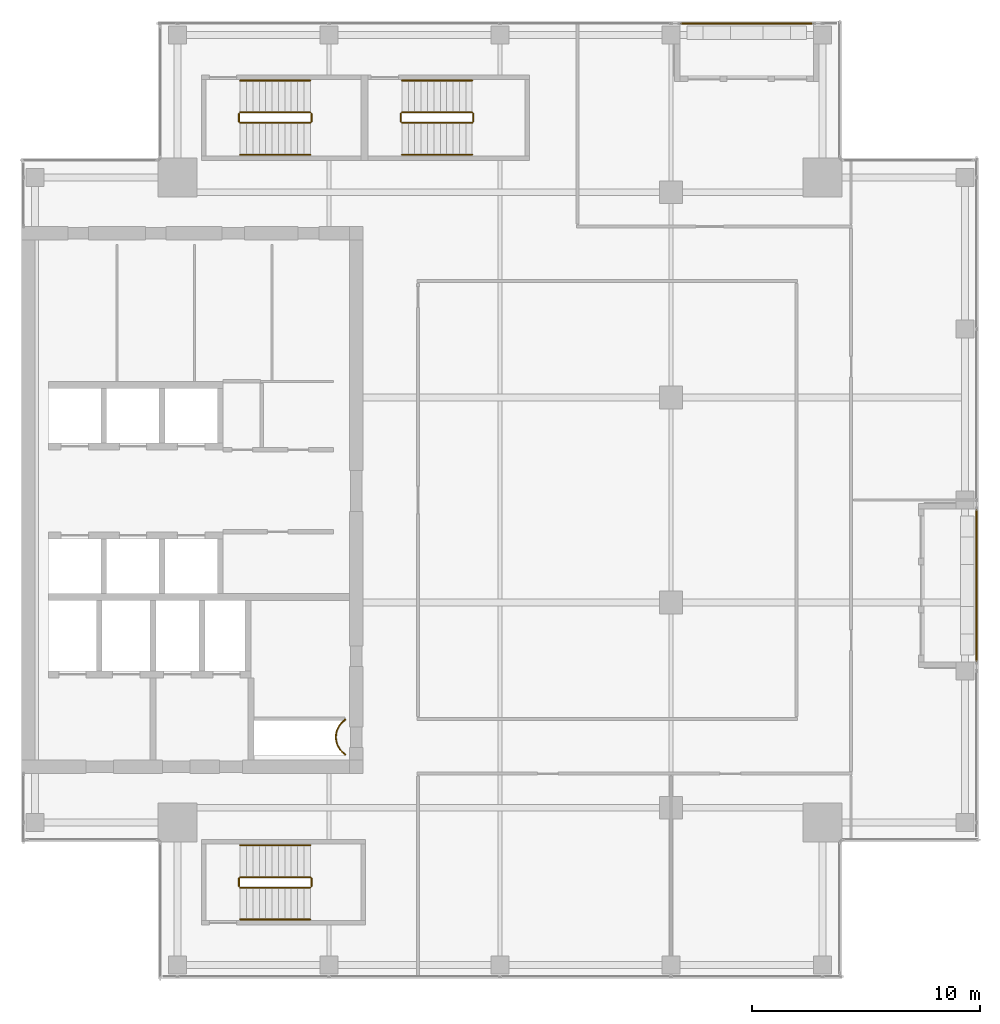
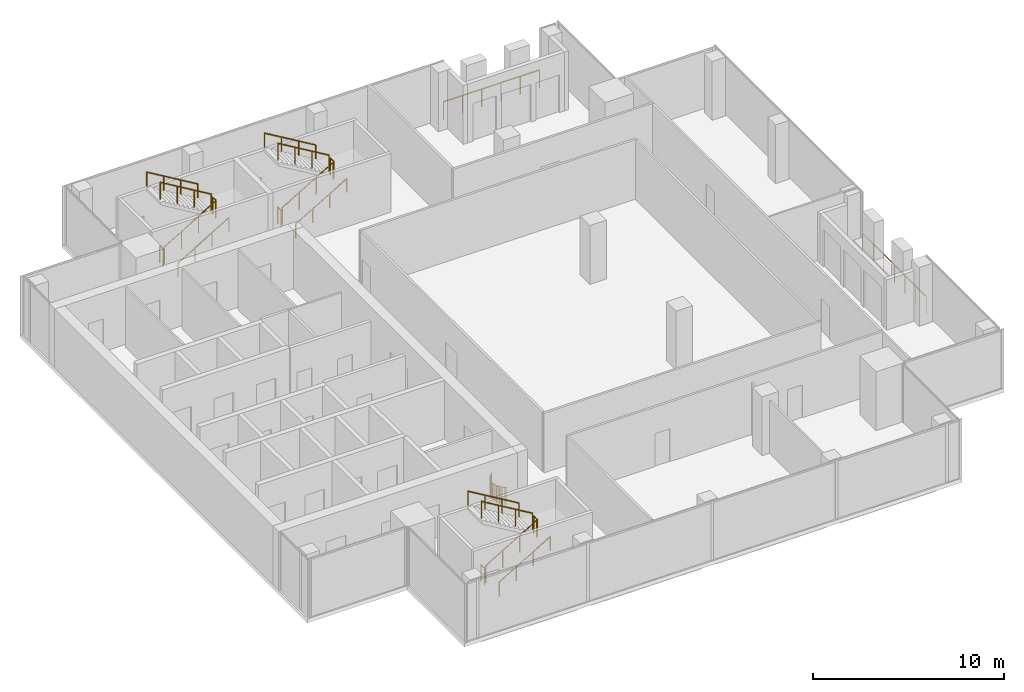
# One storey, part 28 of 29: 21 railings.
"""IFC4 building model written with IfcOpenShell, lengths in metres."""

from ifc_helpers import new_model, si_unit, direction, frame, origin, origin_2d, place, context, subcontext, project, spatial, circle, extrude, source, transform, mapped, material, type_object, element, save


model = new_model("IFC4")

# Units and contexts
model_context = context("Model", 3, precision=1e-05, world=origin(), true_north=direction((0.0, 1.0)))
body_context = subcontext(model_context, "Body", "Model", "MODEL_VIEW")
ifc_project = project(units=[si_unit("LENGTHUNIT", "METRE"), si_unit("AREAUNIT", "SQUARE_METRE"), si_unit("VOLUMEUNIT", "CUBIC_METRE"), si_unit("PLANEANGLEUNIT", "RADIAN"), si_unit("MASSUNIT", "GRAM", prefix="KILO")], contexts=[model_context])

# Site, building, storey
site_placement = place(None, origin())
site = spatial("IfcSite", under=ifc_project, at=site_placement, CompositionType="ELEMENT")
building_placement = place(site_placement, origin())
building = spatial("IfcBuilding", under=site, at=building_placement, Name="Khomas Fold Tower", CompositionType="ELEMENT")
storey_placement = place(building_placement, frame((0.0, 0.0, 326.199951171875)))
storey = spatial("IfcBuildingStorey", under=building, at=storey_placement, Name="L74", CompositionType="ELEMENT", Elevation=326.199951171875)

# Railings
ifc_material_1 = material(Name="Powder-coated steel", Category="steel")
railing_type_1 = type_object("IfcRailingType", Name="Balcony guard", PredefinedType="GUARDRAIL", material=ifc_material_1)
shared_shape_1 = source(origin(), body_context, "Body", "SweptSolid", [
    extrude(circle(Radius=0.02490234375, at=origin_2d()), frame((0.0, 0.0, 1.125), z_axis=(1.0, 0.0, 0.0), x_axis=(0.0, 1.0, 0.0)), (0.0, 0.0, 1.0), 5.7900390625),
    extrude(circle(Radius=0.02001953125, at=origin_2d()), origin(), (0.0, 0.0, 1.0), 1.099853515625),
    extrude(circle(Radius=0.02001953125, at=origin_2d()), frame((1.157958984375, 0.0, 0.0)), (0.0, 0.0, 1.0), 1.099853515625),
    extrude(circle(Radius=0.02001953125, at=origin_2d()), frame((2.31591796875, 0.0, 0.0)), (0.0, 0.0, 1.0), 1.099853515625),
    extrude(circle(Radius=0.02001953125, at=origin_2d()), frame((3.47412109375, 0.0, 0.0)), (0.0, 0.0, 1.0), 1.099853515625),
    extrude(circle(Radius=0.02001953125, at=origin_2d()), frame((4.632080078125, 0.0, 0.0)), (0.0, 0.0, 1.0), 1.099853515625),
    extrude(circle(Radius=0.02001953125, at=origin_2d()), frame((5.7900390625, 0.0, 0.0)), (0.0, 0.0, 1.0), 1.099853515625),
])
railing_1_placement = place(storey_placement, frame((34.929931640625, 47.89990234375, -0.044921875)))
element("IfcRailing", 1, at=railing_1_placement, inside=storey, type_object=railing_type_1, Name="Balcony guard BAL-L74-N4", PredefinedType="GUARDRAIL", context=body_context, shape_type="MappedRepresentation", body=[
    mapped(shared_shape_1, transform((0.0, 0.0, 0.0))),
])
shared_shape_2 = source(origin(), body_context, "Body", "SweptSolid", [
    extrude(circle(Radius=0.02490234375, at=origin_2d()), frame((0.0, 0.0, 1.125), z_axis=(0.0, 1.0, 0.0), x_axis=(-1.0, 0.0, 0.0)), (0.0, 0.0, 1.0), 6.64013671875),
    extrude(circle(Radius=0.02001953125, at=origin_2d()), origin(), (0.0, 0.0, 1.0), 1.099853515625),
    extrude(circle(Radius=0.02001953125, at=origin_2d()), frame((0.0, 1.106689453125, 0.0)), (0.0, 0.0, 1.0), 1.099853515625),
    extrude(circle(Radius=0.02001953125, at=origin_2d()), frame((0.0, 2.21337890625, 0.0)), (0.0, 0.0, 1.0), 1.099853515625),
    extrude(circle(Radius=0.02001953125, at=origin_2d()), frame((0.0, 3.320068359375, 0.0)), (0.0, 0.0, 1.0), 1.099853515625),
    extrude(circle(Radius=0.02001953125, at=origin_2d()), frame((0.0, 4.4267578125, 0.0)), (0.0, 0.0, 1.0), 1.099853515625),
    extrude(circle(Radius=0.02001953125, at=origin_2d()), frame((0.0, 5.533447265625, 0.0)), (0.0, 0.0, 1.0), 1.099853515625),
    extrude(circle(Radius=0.02001953125, at=origin_2d()), frame((0.0, 6.64013671875, 0.0)), (0.0, 0.0, 1.0), 1.099853515625),
])
railing_2_placement = place(storey_placement, frame((47.89990234375, 19.929931640625, -0.044921875)))
element("IfcRailing", 2, at=railing_2_placement, inside=storey, type_object=railing_type_1, Name="Balcony guard BAL-L74-E2", PredefinedType="GUARDRAIL", context=body_context, shape_type="MappedRepresentation", body=[
    mapped(shared_shape_2, transform((0.0, 0.0, 0.0))),
])
ifc_material_2 = material(Name="Steel balustrade", Category="steel")
railing_type_2 = type_object("IfcRailingType", Name="Stair guard", PredefinedType="GUARDRAIL", material=ifc_material_2)
shared_shape_3 = source(origin(), body_context, "Body", "SweptSolid", [
    extrude(circle(Radius=0.02392578125, at=origin_2d()), frame((0.0, 0.0, 1.076171875), z_axis=(0.0, 1.0, 0.0), x_axis=(-1.0, 0.0, 0.0)), (0.0, 0.0, 1.0), 0.349853515625),
    extrude(circle(Radius=0.02099609375, at=origin_2d()), origin(), (0.0, 0.0, 1.0), 1.052001953125),
    extrude(circle(Radius=0.02099609375, at=origin_2d()), frame((0.0, 0.349853515625, 0.0)), (0.0, 0.0, 1.0), 1.052001953125),
])
for number, where, name in (
    (3, (18.72998046875, 43.60009765625, 2.0), "L74 ST1 stair guard 2"),
    (4, (15.550048828125, 43.60009765625, 0.0), "L74 ST1 stair guard 4"),
    (5, (18.72998046875, 10.050048828125, 2.0), "L74 ST2 stair guard 2"),
    (6, (15.550048828125, 10.050048828125, 0.0), "L74 ST2 stair guard 4"),
    (7, (25.830078125, 43.60009765625, 2.0), "L74 ST3 stair guard 2"),
    (8, (22.64990234375, 43.60009765625, 0.0), "L74 ST3 stair guard 4"),
):
    element("IfcRailing", number, at=place(storey_placement, frame(where)), inside=storey, type_object=railing_type_2, Name=name, PredefinedType="GUARDRAIL", context=body_context, shape_type="MappedRepresentation", body=[
        mapped(shared_shape_3, transform((0.0, 0.0, 0.0))),
    ])
shared_shape_4 = source(origin(), body_context, "Body", "SweptSolid", [
    extrude(circle(Radius=0.02392578125, at=origin_2d()), frame((0.0, 0.0, 1.076171875), z_axis=(0.859290745958, 0.0, 0.51148745235), x_axis=(0.0, 1.0, 0.0)), (0.0, 0.0, 1.0), 3.584228515625),
    extrude(circle(Radius=0.02099609375, at=origin_2d()), origin(), (0.0, 0.0, 1.0), 1.052001953125),
    extrude(circle(Radius=0.02099609375, at=origin_2d()), frame((1.026611328125, 0.0, 0.611083984375)), (0.0, 0.0, 1.0), 1.052001953125),
    extrude(circle(Radius=0.02099609375, at=origin_2d()), frame((2.05322265625, 0.0, 1.22216796875)), (0.0, 0.0, 1.0), 1.052001953125),
    extrude(circle(Radius=0.02099609375, at=origin_2d()), frame((3.079833984375, 0.0, 1.833251953125)), (0.0, 0.0, 1.0), 1.052001953125),
])
for number, where, name in (
    (9, (15.60009765625, 43.550048828125, 0.166748046875), "L74 ST1 stair guard 1"),
    (10, (15.60009765625, 10.0, 0.166748046875), "L74 ST2 stair guard 1"),
):
    element("IfcRailing", number, at=place(storey_placement, frame(where)), inside=storey, type_object=railing_type_2, Name=name, PredefinedType="GUARDRAIL", context=body_context, shape_type="MappedRepresentation", body=[
        mapped(shared_shape_4, transform((0.0, 0.0, 0.0))),
    ])
shared_shape_5 = source(origin(), body_context, "Body", "SweptSolid", [
    extrude(circle(Radius=0.02392578125, at=origin_2d()), frame((0.0, 0.0, 1.076171875), z_axis=(-0.859290745958, 0.0, 0.51148745235), x_axis=(0.0, -1.0, 0.0)), (0.0, 0.0, 1.0), 3.584228515625),
    extrude(circle(Radius=0.02099609375, at=origin_2d()), origin(), (0.0, 0.0, 1.0), 1.052001953125),
    extrude(circle(Radius=0.02099609375, at=origin_2d()), frame((-1.026611328125, 0.0, 0.611083984375)), (0.0, 0.0, 1.0), 1.052001953125),
    extrude(circle(Radius=0.02099609375, at=origin_2d()), frame((-2.05322265625, 0.0, 1.22216796875)), (0.0, 0.0, 1.0), 1.052001953125),
    extrude(circle(Radius=0.02099609375, at=origin_2d()), frame((-3.079833984375, 0.0, 1.833251953125)), (0.0, 0.0, 1.0), 1.052001953125),
])
for number, where, name in (
    (11, (18.679931640625, 44.0, 2.166748046875), "L74 ST1 stair guard 3"),
    (12, (18.679931640625, 10.449951171875, 2.166748046875), "L74 ST2 stair guard 3"),
):
    element("IfcRailing", number, at=place(storey_placement, frame(where)), inside=storey, type_object=railing_type_2, Name=name, PredefinedType="GUARDRAIL", context=body_context, shape_type="MappedRepresentation", body=[
        mapped(shared_shape_5, transform((0.0, 0.0, 0.0))),
    ])
ifc_material_3 = material(Name="Steel handrail", Category="steel")
railing_type_3 = type_object("IfcRailingType", Name="Stair handrail", PredefinedType="HANDRAIL", material=ifc_material_3)
shared_shape_6 = source(origin(), body_context, "Body", "SweptSolid", [
    extrude(circle(Radius=0.02392578125, at=origin_2d()), frame((0.0, 0.0, 0.8759765625), z_axis=(0.859290745958, 0.0, 0.51148745235), x_axis=(0.0, 1.0, 0.0)), (0.0, 0.0, 1.0), 3.584228515625),
    extrude(circle(Radius=0.02099609375, at=origin_2d()), origin(), (0.0, 0.0, 1.0), 0.851806640625),
    extrude(circle(Radius=0.02099609375, at=origin_2d()), frame((1.026611328125, 0.0, 0.611083984375)), (0.0, 0.0, 1.0), 0.851806640625),
    extrude(circle(Radius=0.02099609375, at=origin_2d()), frame((2.05322265625, 0.0, 1.22216796875)), (0.0, 0.0, 1.0), 0.851806640625),
    extrude(circle(Radius=0.02099609375, at=origin_2d()), frame((3.079833984375, 0.0, 1.833251953125)), (0.0, 0.0, 1.0), 0.851806640625),
])
for number, where, name in (
    (13, (15.60009765625, 42.14990234375, 0.166748046875), "L74 ST1 stair handrail 1"),
    (14, (15.60009765625, 8.60009765625, 0.166748046875), "L74 ST2 stair handrail 1"),
):
    element("IfcRailing", number, at=place(storey_placement, frame(where)), inside=storey, type_object=railing_type_3, Name=name, PredefinedType="HANDRAIL", context=body_context, shape_type="MappedRepresentation", body=[
        mapped(shared_shape_6, transform((0.0, 0.0, 0.0))),
    ])
shared_shape_7 = source(origin(), body_context, "Body", "SweptSolid", [
    extrude(circle(Radius=0.02392578125, at=origin_2d()), frame((0.0, 0.0, 0.8759765625), z_axis=(-0.859290745958, 0.0, 0.51148745235), x_axis=(0.0, -1.0, 0.0)), (0.0, 0.0, 1.0), 3.584228515625),
    extrude(circle(Radius=0.02099609375, at=origin_2d()), origin(), (0.0, 0.0, 1.0), 0.851806640625),
    extrude(circle(Radius=0.02099609375, at=origin_2d()), frame((-1.026611328125, 0.0, 0.611083984375)), (0.0, 0.0, 1.0), 0.851806640625),
    extrude(circle(Radius=0.02099609375, at=origin_2d()), frame((-2.05322265625, 0.0, 1.22216796875)), (0.0, 0.0, 1.0), 0.851806640625),
    extrude(circle(Radius=0.02099609375, at=origin_2d()), frame((-3.079833984375, 0.0, 1.833251953125)), (0.0, 0.0, 1.0), 0.851806640625),
])
for number, where, name in (
    (15, (18.679931640625, 45.39990234375, 2.166748046875), "L74 ST1 stair handrail 2"),
    (16, (18.679931640625, 11.85009765625, 2.166748046875), "L74 ST2 stair handrail 2"),
):
    element("IfcRailing", number, at=place(storey_placement, frame(where)), inside=storey, type_object=railing_type_3, Name=name, PredefinedType="HANDRAIL", context=body_context, shape_type="MappedRepresentation", body=[
        mapped(shared_shape_7, transform((0.0, 0.0, 0.0))),
    ])
shared_shape_8 = source(origin(), body_context, "Body", "SweptSolid", [
    extrude(circle(Radius=0.02392578125, at=origin_2d()), frame((0.0, 0.0, 1.076171875), z_axis=(0.859308565015, 0.0, 0.511457515432), x_axis=(0.0, 1.0, 0.0)), (0.0, 0.0, 1.0), 3.58447265625),
    extrude(circle(Radius=0.02099609375, at=origin_2d()), origin(), (0.0, 0.0, 1.0), 1.052001953125),
    extrude(circle(Radius=0.02099609375, at=origin_2d()), frame((1.026611328125, 0.0, 0.611083984375)), (0.0, 0.0, 1.0), 1.052001953125),
    extrude(circle(Radius=0.02099609375, at=origin_2d()), frame((2.053466796875, 0.0, 1.22216796875)), (0.0, 0.0, 1.0), 1.052001953125),
    extrude(circle(Radius=0.02099609375, at=origin_2d()), frame((3.080078125, 0.0, 1.833251953125)), (0.0, 0.0, 1.0), 1.052001953125),
])
railing_3_placement = place(storey_placement, frame((22.699951171875, 43.550048828125, 0.166748046875)))
element("IfcRailing", 17, at=railing_3_placement, inside=storey, type_object=railing_type_2, Name="L74 ST3 stair guard 1", PredefinedType="GUARDRAIL", context=body_context, shape_type="MappedRepresentation", body=[
    mapped(shared_shape_8, transform((0.0, 0.0, 0.0))),
])
shared_shape_9 = source(origin(), body_context, "Body", "SweptSolid", [
    extrude(circle(Radius=0.02392578125, at=origin_2d()), frame((0.0, 0.0, 1.076171875), z_axis=(-0.859308565015, 0.0, 0.511457515432), x_axis=(0.0, -1.0, 0.0)), (0.0, 0.0, 1.0), 3.58447265625),
    extrude(circle(Radius=0.02099609375, at=origin_2d()), origin(), (0.0, 0.0, 1.0), 1.052001953125),
    extrude(circle(Radius=0.02099609375, at=origin_2d()), frame((-1.026611328125, 0.0, 0.611083984375)), (0.0, 0.0, 1.0), 1.052001953125),
    extrude(circle(Radius=0.02099609375, at=origin_2d()), frame((-2.053466796875, 0.0, 1.22216796875)), (0.0, 0.0, 1.0), 1.052001953125),
    extrude(circle(Radius=0.02099609375, at=origin_2d()), frame((-3.080078125, 0.0, 1.833251953125)), (0.0, 0.0, 1.0), 1.052001953125),
])
railing_4_placement = place(storey_placement, frame((25.780029296875, 44.0, 2.166748046875)))
element("IfcRailing", 18, at=railing_4_placement, inside=storey, type_object=railing_type_2, Name="L74 ST3 stair guard 3", PredefinedType="GUARDRAIL", context=body_context, shape_type="MappedRepresentation", body=[
    mapped(shared_shape_9, transform((0.0, 0.0, 0.0))),
])
shared_shape_10 = source(origin(), body_context, "Body", "SweptSolid", [
    extrude(circle(Radius=0.02392578125, at=origin_2d()), frame((0.0, 0.0, 0.8759765625), z_axis=(0.859308565015, 0.0, 0.511457515432), x_axis=(0.0, 1.0, 0.0)), (0.0, 0.0, 1.0), 3.58447265625),
    extrude(circle(Radius=0.02099609375, at=origin_2d()), origin(), (0.0, 0.0, 1.0), 0.851806640625),
    extrude(circle(Radius=0.02099609375, at=origin_2d()), frame((1.026611328125, 0.0, 0.611083984375)), (0.0, 0.0, 1.0), 0.851806640625),
    extrude(circle(Radius=0.02099609375, at=origin_2d()), frame((2.053466796875, 0.0, 1.22216796875)), (0.0, 0.0, 1.0), 0.851806640625),
    extrude(circle(Radius=0.02099609375, at=origin_2d()), frame((3.080078125, 0.0, 1.833251953125)), (0.0, 0.0, 1.0), 0.851806640625),
])
railing_5_placement = place(storey_placement, frame((22.699951171875, 42.14990234375, 0.166748046875)))
element("IfcRailing", 19, at=railing_5_placement, inside=storey, type_object=railing_type_3, Name="L74 ST3 stair handrail 1", PredefinedType="HANDRAIL", context=body_context, shape_type="MappedRepresentation", body=[
    mapped(shared_shape_10, transform((0.0, 0.0, 0.0))),
])
shared_shape_11 = source(origin(), body_context, "Body", "SweptSolid", [
    extrude(circle(Radius=0.02392578125, at=origin_2d()), frame((0.0, 0.0, 0.8759765625), z_axis=(-0.859308565015, 0.0, 0.511457515432), x_axis=(0.0, -1.0, 0.0)), (0.0, 0.0, 1.0), 3.58447265625),
    extrude(circle(Radius=0.02099609375, at=origin_2d()), origin(), (0.0, 0.0, 1.0), 0.851806640625),
    extrude(circle(Radius=0.02099609375, at=origin_2d()), frame((-1.026611328125, 0.0, 0.611083984375)), (0.0, 0.0, 1.0), 0.851806640625),
    extrude(circle(Radius=0.02099609375, at=origin_2d()), frame((-2.053466796875, 0.0, 1.22216796875)), (0.0, 0.0, 1.0), 0.851806640625),
    extrude(circle(Radius=0.02099609375, at=origin_2d()), frame((-3.080078125, 0.0, 1.833251953125)), (0.0, 0.0, 1.0), 0.851806640625),
])
railing_6_placement = place(storey_placement, frame((25.780029296875, 45.39990234375, 2.166748046875)))
element("IfcRailing", 20, at=railing_6_placement, inside=storey, type_object=railing_type_3, Name="L74 ST3 stair handrail 2", PredefinedType="HANDRAIL", context=body_context, shape_type="MappedRepresentation", body=[
    mapped(shared_shape_11, transform((0.0, 0.0, 0.0))),
])
ifc_material_4 = material(Name="Steel balustrade", Category="steel")
railing_type_4 = type_object("IfcRailingType", Name="Shaft guard", PredefinedType="GUARDRAIL", material=ifc_material_4)
shared_shape_12 = source(origin(), body_context, "Body", "SweptSolid", [
    extrude(circle(Radius=0.02490234375, at=origin_2d()), frame((0.0, 0.0, 1.0751953125), z_axis=(0.0, -1.0, 0.0), x_axis=(1.0, 0.0, 0.0)), (0.0, 0.0, 1.0), 0.034912109375),
    extrude(circle(Radius=0.02490234375, at=origin_2d()), frame((0.0, -0.034912109375, 1.0751953125), z_axis=(-0.802970227885, -0.596019138224, 0.0), x_axis=(0.596019138224, -0.802970227885, 0.0)), (0.0, 0.0, 1.0), 0.08837890625),
    extrude(circle(Radius=0.02490234375, at=origin_2d()), frame((-0.071044921875, -0.087646484375, 1.0751953125), z_axis=(-0.739563952942, -0.673086294251, 0.0), x_axis=(0.673086294251, -0.739563952942, 0.0)), (0.0, 0.0, 1.0), 0.088134765625),
    extrude(circle(Radius=0.02490234375, at=origin_2d()), frame((-0.13623046875, -0.14697265625, 1.0751953125), z_axis=(-0.671709119666, -0.740814996175, 0.0), x_axis=(0.740814996175, -0.671709119666, 0.0)), (0.0, 0.0, 1.0), 0.08837890625),
    extrude(circle(Radius=0.02490234375, at=origin_2d()), frame((-0.195556640625, -0.21240234375, 1.0751953125), z_axis=(-0.597341843489, -0.801986734315, 0.0), x_axis=(0.801986734315, -0.597341843489, 0.0)), (0.0, 0.0, 1.0), 0.08837890625),
    extrude(circle(Radius=0.02490234375, at=origin_2d()), frame((-0.248291015625, -0.283203125, 1.0751953125), z_axis=(-0.514495755428, -0.857492925713, 0.0), x_axis=(0.857492925713, -0.514495755428, 0.0)), (0.0, 0.0, 1.0), 0.08837890625),
    extrude(circle(Radius=0.02490234375, at=origin_2d()), frame((-0.293701171875, -0.35888671875, 1.0751953125), z_axis=(-0.427256721383, -0.904130352346, 0.0), x_axis=(0.904130352346, -0.427256721383, 0.0)), (0.0, 0.0, 1.0), 0.088623046875),
    extrude(circle(Radius=0.02490234375, at=origin_2d()), frame((-0.33154296875, -0.43896484375, 1.0751953125), z_axis=(-0.335282981086, -0.942117467514, 0.0), x_axis=(0.942117467514, -0.335282981086, 0.0)), (0.0, 0.0, 1.0), 0.088134765625),
    extrude(circle(Radius=0.02490234375, at=origin_2d()), frame((-0.361083984375, -0.52197265625, 1.0751953125), z_axis=(-0.243185799972, -0.969979724887, 0.0), x_axis=(0.969979724887, -0.243185799972, 0.0)), (0.0, 0.0, 1.0), 0.08837890625),
    extrude(circle(Radius=0.02490234375, at=origin_2d()), frame((-0.382568359375, -0.607666015625, 1.0751953125), z_axis=(-0.149150785005, -0.988814463553, 0.0), x_axis=(0.988814463553, -0.149150785005, 0.0)), (0.0, 0.0, 1.0), 0.08837890625),
    extrude(circle(Radius=0.02490234375, at=origin_2d()), frame((-0.395751953125, -0.695068359375, 1.0751953125), z_axis=(-0.047039284441, -0.99889304018, 0.0), x_axis=(0.99889304018, -0.047039284441, 0.0)), (0.0, 0.0, 1.0), 0.088134765625),
    extrude(circle(Radius=0.02490234375, at=origin_2d()), frame((-0.39990234375, -0.783203125, 1.0751953125), z_axis=(0.046909628002, -0.998899137451, 0.0), x_axis=(0.998899137451, 0.046909628002, 0.0)), (0.0, 0.0, 1.0), 0.08837890625),
    extrude(circle(Radius=0.02490234375, at=origin_2d()), frame((-0.395751953125, -0.87158203125, 1.0751953125), z_axis=(0.149150785005, -0.988814463553, 0.0), x_axis=(0.988814463553, 0.149150785005, 0.0)), (0.0, 0.0, 1.0), 0.08837890625),
    extrude(circle(Radius=0.02490234375, at=origin_2d()), frame((-0.382568359375, -0.958984375, 1.0751953125), z_axis=(0.243185799972, -0.969979724887, 0.0), x_axis=(0.969979724887, 0.243185799972, 0.0)), (0.0, 0.0, 1.0), 0.08837890625),
    extrude(circle(Radius=0.02490234375, at=origin_2d()), frame((-0.361083984375, -1.044677734375, 1.0751953125), z_axis=(0.335282981086, -0.942117467514, 0.0), x_axis=(0.942117467514, 0.335282981086, 0.0)), (0.0, 0.0, 1.0), 0.088134765625),
    extrude(circle(Radius=0.02490234375, at=origin_2d()), frame((-0.33154296875, -1.127685546875, 1.0751953125), z_axis=(0.428323905606, -0.903625271828, 0.0), x_axis=(0.903625271828, 0.428323905606, 0.0)), (0.0, 0.0, 1.0), 0.08837890625),
    extrude(circle(Radius=0.02490234375, at=origin_2d()), frame((-0.293701171875, -1.20751953125, 1.0751953125), z_axis=(0.514495755428, -0.857492925713, 0.0), x_axis=(0.857492925713, 0.514495755428, 0.0)), (0.0, 0.0, 1.0), 0.08837890625),
    extrude(circle(Radius=0.02490234375, at=origin_2d()), frame((-0.248291015625, -1.283203125, 1.0751953125), z_axis=(0.596019138224, -0.802970227885, 0.0), x_axis=(0.802970227885, 0.596019138224, 0.0)), (0.0, 0.0, 1.0), 0.08837890625),
    extrude(circle(Radius=0.02490234375, at=origin_2d()), frame((-0.195556640625, -1.354248046875, 1.0751953125), z_axis=(0.671709119666, -0.740814996175, 0.0), x_axis=(0.740814996175, 0.671709119666, 0.0)), (0.0, 0.0, 1.0), 0.08837890625),
    extrude(circle(Radius=0.02490234375, at=origin_2d()), frame((-0.13623046875, -1.419677734375, 1.0751953125), z_axis=(0.739563952942, -0.673086294251, 0.0), x_axis=(0.673086294251, 0.739563952942, 0.0)), (0.0, 0.0, 1.0), 0.088134765625),
    extrude(circle(Radius=0.02490234375, at=origin_2d()), frame((-0.071044921875, -1.47900390625, 1.0751953125), z_axis=(0.804291006819, -0.594235623595, 0.0), x_axis=(0.594235623595, 0.804291006819, 0.0)), (0.0, 0.0, 1.0), 0.08837890625),
    extrude(circle(Radius=0.02490234375, at=origin_2d()), frame((0.0, -1.531494140625, 1.0751953125), z_axis=(0.0, -1.0, 0.0), x_axis=(1.0, 0.0, 0.0)), (0.0, 0.0, 1.0), 0.03515625),
    extrude(circle(Radius=0.02001953125, at=origin_2d()), origin(), (0.0, 0.0, 1.0), 1.050048828125),
    extrude(circle(Radius=0.02001953125, at=origin_2d()), frame((0.0, -0.034912109375, 0.0)), (0.0, 0.0, 1.0), 1.050048828125),
    extrude(circle(Radius=0.02001953125, at=origin_2d()), frame((-0.071044921875, -0.087646484375, 0.0)), (0.0, 0.0, 1.0), 1.050048828125),
    extrude(circle(Radius=0.02001953125, at=origin_2d()), frame((-0.13623046875, -0.14697265625, 0.0)), (0.0, 0.0, 1.0), 1.050048828125),
    extrude(circle(Radius=0.02001953125, at=origin_2d()), frame((-0.195556640625, -0.21240234375, 0.0)), (0.0, 0.0, 1.0), 1.050048828125),
    extrude(circle(Radius=0.02001953125, at=origin_2d()), frame((-0.248291015625, -0.283203125, 0.0)), (0.0, 0.0, 1.0), 1.050048828125),
    extrude(circle(Radius=0.02001953125, at=origin_2d()), frame((-0.293701171875, -0.35888671875, 0.0)), (0.0, 0.0, 1.0), 1.050048828125),
    extrude(circle(Radius=0.02001953125, at=origin_2d()), frame((-0.33154296875, -0.43896484375, 0.0)), (0.0, 0.0, 1.0), 1.050048828125),
    extrude(circle(Radius=0.02001953125, at=origin_2d()), frame((-0.361083984375, -0.52197265625, 0.0)), (0.0, 0.0, 1.0), 1.050048828125),
    extrude(circle(Radius=0.02001953125, at=origin_2d()), frame((-0.382568359375, -0.607666015625, 0.0)), (0.0, 0.0, 1.0), 1.050048828125),
    extrude(circle(Radius=0.02001953125, at=origin_2d()), frame((-0.395751953125, -0.695068359375, 0.0)), (0.0, 0.0, 1.0), 1.050048828125),
    extrude(circle(Radius=0.02001953125, at=origin_2d()), frame((-0.39990234375, -0.783203125, 0.0)), (0.0, 0.0, 1.0), 1.050048828125),
    extrude(circle(Radius=0.02001953125, at=origin_2d()), frame((-0.395751953125, -0.87158203125, 0.0)), (0.0, 0.0, 1.0), 1.050048828125),
    extrude(circle(Radius=0.02001953125, at=origin_2d()), frame((-0.382568359375, -0.958984375, 0.0)), (0.0, 0.0, 1.0), 1.050048828125),
    extrude(circle(Radius=0.02001953125, at=origin_2d()), frame((-0.361083984375, -1.044677734375, 0.0)), (0.0, 0.0, 1.0), 1.050048828125),
    extrude(circle(Radius=0.02001953125, at=origin_2d()), frame((-0.33154296875, -1.127685546875, 0.0)), (0.0, 0.0, 1.0), 1.050048828125),
    extrude(circle(Radius=0.02001953125, at=origin_2d()), frame((-0.293701171875, -1.20751953125, 0.0)), (0.0, 0.0, 1.0), 1.050048828125),
    extrude(circle(Radius=0.02001953125, at=origin_2d()), frame((-0.248291015625, -1.283203125, 0.0)), (0.0, 0.0, 1.0), 1.050048828125),
    extrude(circle(Radius=0.02001953125, at=origin_2d()), frame((-0.195556640625, -1.354248046875, 0.0)), (0.0, 0.0, 1.0), 1.050048828125),
    extrude(circle(Radius=0.02001953125, at=origin_2d()), frame((-0.13623046875, -1.419677734375, 0.0)), (0.0, 0.0, 1.0), 1.050048828125),
    extrude(circle(Radius=0.02001953125, at=origin_2d()), frame((-0.071044921875, -1.47900390625, 0.0)), (0.0, 0.0, 1.0), 1.050048828125),
    extrude(circle(Radius=0.02001953125, at=origin_2d()), frame((0.0, -1.531494140625, 0.0)), (0.0, 0.0, 1.0), 1.050048828125),
    extrude(circle(Radius=0.02001953125, at=origin_2d()), frame((0.0, -1.566650390625, 0.0)), (0.0, 0.0, 1.0), 1.050048828125),
])
railing_7_placement = place(storey_placement, frame((20.199951171875, 17.38330078125, 0.0)))
element("IfcRailing", 21, at=railing_7_placement, inside=storey, type_object=railing_type_4, Name="Shaft guard L74 1", PredefinedType="GUARDRAIL", context=body_context, shape_type="MappedRepresentation", body=[
    mapped(shared_shape_12, transform((0.0, 0.0, 0.0))),
])

save(model, "model.ifc")
